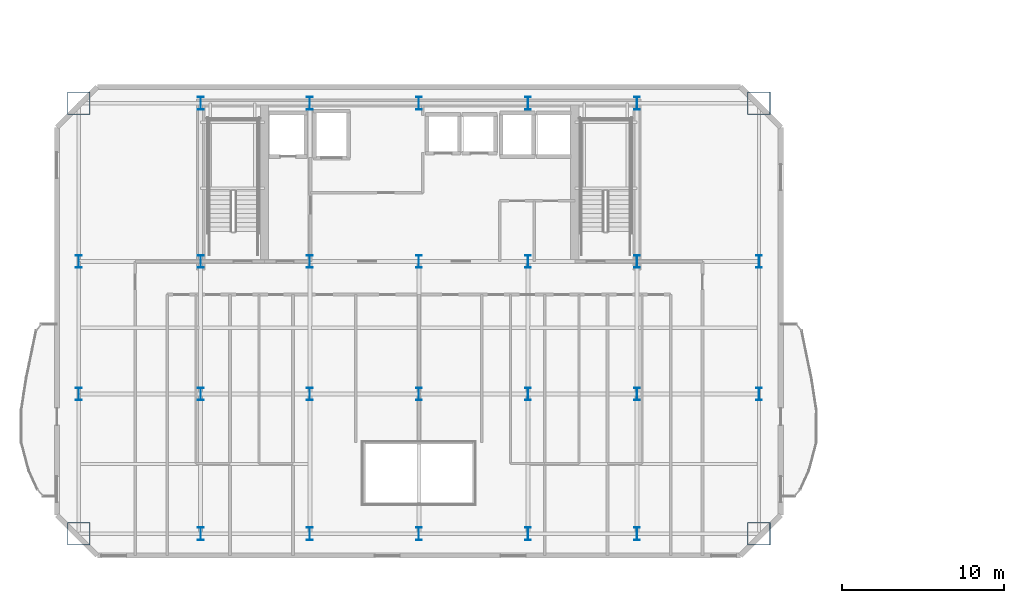
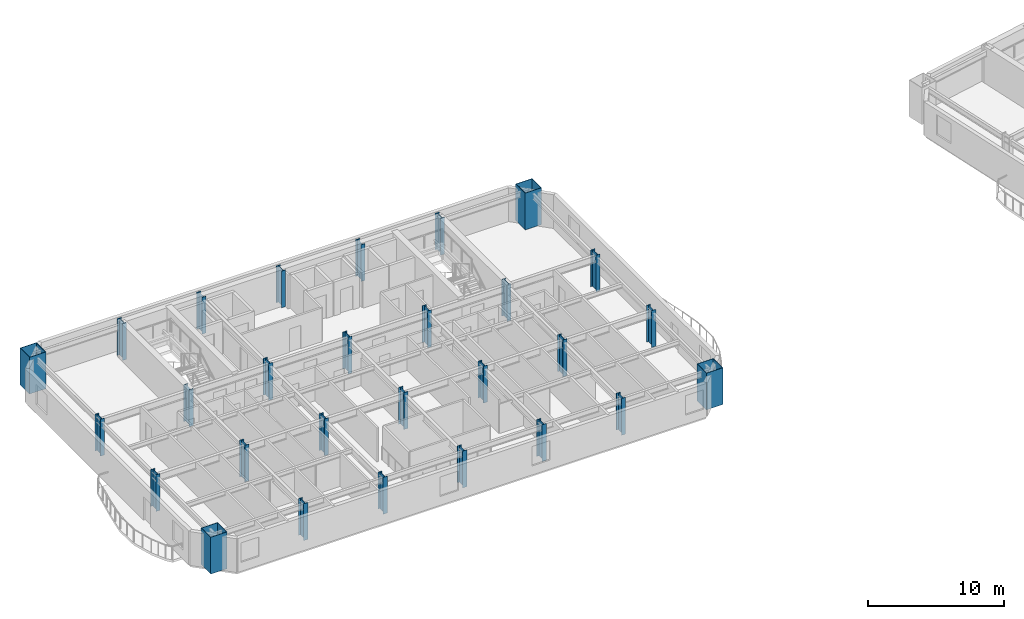
# One storey, part 1 of 14: 28 columns.
"""IFC4 building model written with IfcOpenShell, lengths in metres."""

from ifc_helpers import new_model, si_unit, direction, frame, origin, origin_2d, place, context, subcontext, project, spatial, hollow_rectangle, i_section, extrude, material, material_profile, profile_set, type_object, element, save


model = new_model("IFC4")

# Units and contexts
model_context = context("Model", 3, precision=1e-05, world=origin(), true_north=direction((0.0, 1.0)))
body_context = subcontext(model_context, "Body", "Model", "MODEL_VIEW")
ifc_project = project(units=[si_unit("LENGTHUNIT", "METRE"), si_unit("AREAUNIT", "SQUARE_METRE"), si_unit("VOLUMEUNIT", "CUBIC_METRE"), si_unit("PLANEANGLEUNIT", "RADIAN"), si_unit("MASSUNIT", "GRAM", prefix="KILO")], contexts=[model_context])

# Site, building, storey
site_placement = place(None, origin())
site = spatial("IfcSite", under=ifc_project, at=site_placement, CompositionType="ELEMENT")
building_placement = place(site_placement, origin())
building = spatial("IfcBuilding", under=site, at=building_placement, Name="Haevon Station Towers", CompositionType="ELEMENT")
storey_placement = place(building_placement, frame((0.0, 0.0, 116.39990234375)))
storey = spatial("IfcBuildingStorey", under=building, at=storey_placement, Name="L31", CompositionType="ELEMENT", Elevation=116.39990234375)

# Columns
ifc_material = material(Name="Steel S460", Category="steel")
ifc_material_profile_1 = material_profile(ifc_material, hollow_rectangle(XDim=1.39990234375, YDim=1.39990234375, WallThickness=0.035888671875, at=origin_2d()), Name="BOX-1400x1400x36")
ifc_profile_set_1 = profile_set([ifc_material_profile_1], Name="Steel S460")
column_type_1 = type_object("IfcColumnType", Name="COL-MC3", PredefinedType="COLUMN", material=ifc_profile_set_1)
for number, where, z_axis, x_axis, name in (
    (1, (16.449951171875, 21.35009765625, 0.0), (0.0, 0.0, 1.0), (1.0, 0.0, 0.0), "COL-T1-L31-01-01"),
    (2, (16.449951171875, 48.0, 0.0), (0.0, 0.0, 1.0), (1.0, 0.0, 0.0), "COL-T1-L31-01-04"),
    (3, (58.550048828125, 21.35009765625, 0.0), (0.0, 0.0, 1.0), (1.0, 0.0, 0.0), "COL-T1-L31-07-01"),
    (4, (58.550048828125, 48.0, 0.0), (0.0, 0.0, 1.0), (1.0, 0.0, 0.0), "COL-T1-L31-07-04"),
):
    element("IfcColumn", number, at=place(storey_placement, frame(where, z_axis=z_axis, x_axis=x_axis)), inside=storey, type_object=column_type_1, Name=name, PredefinedType="COLUMN", context=body_context, shape_type="SweptSolid", body=[
        extrude(hollow_rectangle(XDim=1.39990234375, YDim=1.39990234375, WallThickness=0.035888671875, at=origin_2d()), origin(), (0.0, 0.0, 1.0), 3.300048828125),
    ])
ifc_material_profile_2 = material_profile(ifc_material, i_section(OverallWidth=0.35009765625, OverallDepth=0.800048828125, WebThickness=0.01806640625, FlangeThickness=0.031982421875, at=origin_2d()), Name="H-800x350x18x32")
ifc_profile_set_2 = profile_set([ifc_material_profile_2], Name="Steel S460")
column_type_2 = type_object("IfcColumnType", Name="COL-TW2", PredefinedType="COLUMN", material=ifc_profile_set_2)
for number, where, z_axis, x_axis, name in (
    (5, (16.449951171875, 30.0, 0.0), (0.0, 0.0, 1.0), (1.0, 0.0, 0.0), "COL-T1-L31-01-02"),
    (6, (16.449951171875, 38.199951171875, 0.0), (0.0, 0.0, 1.0), (1.0, 0.0, 0.0), "COL-T1-L31-01-03"),
    (7, (24.0, 21.35009765625, 0.0), (0.0, 0.0, 1.0), (1.0, 0.0, 0.0), "COL-T1-L31-02-01"),
    (8, (24.0, 30.0, 0.0), (0.0, 0.0, 1.0), (1.0, 0.0, 0.0), "COL-T1-L31-02-02"),
    (9, (24.0, 38.199951171875, 0.0), (0.0, 0.0, 1.0), (1.0, 0.0, 0.0), "COL-T1-L31-02-03"),
    (10, (24.0, 48.0, 0.0), (0.0, 0.0, 1.0), (1.0, 0.0, 0.0), "COL-T1-L31-02-04"),
    (11, (30.75, 21.35009765625, 0.0), (0.0, 0.0, 1.0), (1.0, 0.0, 0.0), "COL-T1-L31-03-01"),
    (12, (30.75, 30.0, 0.0), (0.0, 0.0, 1.0), (1.0, 0.0, 0.0), "COL-T1-L31-03-02"),
    (13, (30.75, 38.199951171875, 0.0), (0.0, 0.0, 1.0), (1.0, 0.0, 0.0), "COL-T1-L31-03-03"),
    (14, (30.75, 48.0, 0.0), (0.0, 0.0, 1.0), (1.0, 0.0, 0.0), "COL-T1-L31-03-04"),
    (15, (37.5, 21.35009765625, 0.0), (0.0, 0.0, 1.0), (1.0, 0.0, 0.0), "COL-T1-L31-04-01"),
    (16, (37.5, 30.0, 0.0), (0.0, 0.0, 1.0), (1.0, 0.0, 0.0), "COL-T1-L31-04-02"),
    (17, (37.5, 38.199951171875, 0.0), (0.0, 0.0, 1.0), (1.0, 0.0, 0.0), "COL-T1-L31-04-03"),
    (18, (37.5, 48.0, 0.0), (0.0, 0.0, 1.0), (1.0, 0.0, 0.0), "COL-T1-L31-04-04"),
    (19, (44.25, 21.35009765625, 0.0), (0.0, 0.0, 1.0), (1.0, 0.0, 0.0), "COL-T1-L31-05-01"),
    (20, (44.25, 30.0, 0.0), (0.0, 0.0, 1.0), (1.0, 0.0, 0.0), "COL-T1-L31-05-02"),
    (21, (44.25, 38.199951171875, 0.0), (0.0, 0.0, 1.0), (1.0, 0.0, 0.0), "COL-T1-L31-05-03"),
    (22, (44.25, 48.0, 0.0), (0.0, 0.0, 1.0), (1.0, 0.0, 0.0), "COL-T1-L31-05-04"),
    (23, (51.0, 21.35009765625, 0.0), (0.0, 0.0, 1.0), (1.0, 0.0, 0.0), "COL-T1-L31-06-01"),
    (24, (51.0, 30.0, 0.0), (0.0, 0.0, 1.0), (1.0, 0.0, 0.0), "COL-T1-L31-06-02"),
    (25, (51.0, 38.199951171875, 0.0), (0.0, 0.0, 1.0), (1.0, 0.0, 0.0), "COL-T1-L31-06-03"),
    (26, (51.0, 48.0, 0.0), (0.0, 0.0, 1.0), (1.0, 0.0, 0.0), "COL-T1-L31-06-04"),
    (27, (58.550048828125, 30.0, 0.0), (0.0, 0.0, 1.0), (1.0, 0.0, 0.0), "COL-T1-L31-07-02"),
    (28, (58.550048828125, 38.199951171875, 0.0), (0.0, 0.0, 1.0), (1.0, 0.0, 0.0), "COL-T1-L31-07-03"),
):
    element("IfcColumn", number, at=place(storey_placement, frame(where, z_axis=z_axis, x_axis=x_axis)), inside=storey, type_object=column_type_2, Name=name, PredefinedType="COLUMN", context=body_context, shape_type="SweptSolid", body=[
        extrude(i_section(OverallWidth=0.35009765625, OverallDepth=0.800048828125, WebThickness=0.01806640625, FlangeThickness=0.031982421875, at=origin_2d()), origin(), (0.0, 0.0, 1.0), 3.300048828125),
    ])

save(model, "model.ifc")
